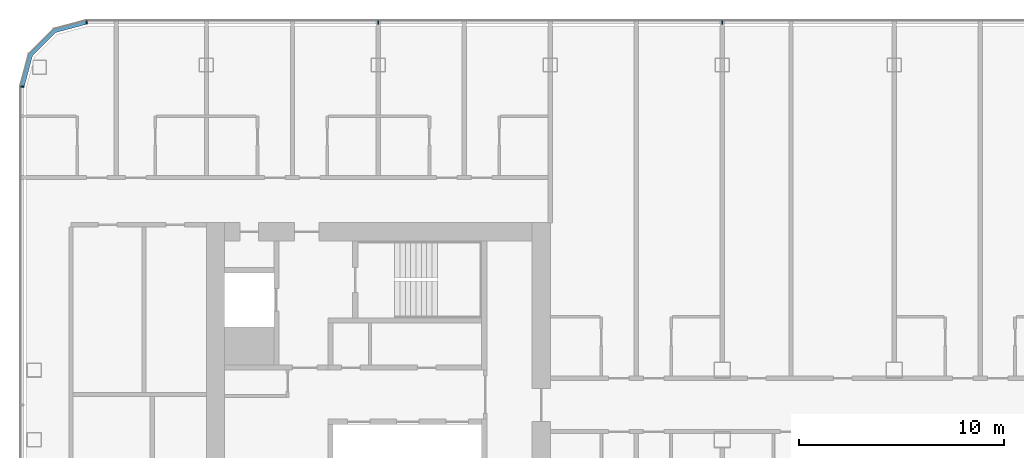
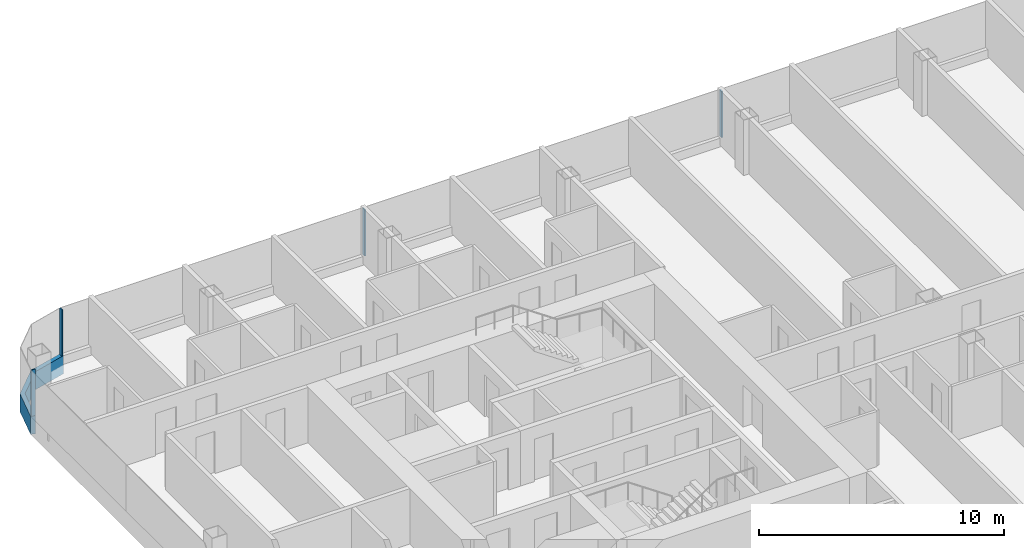
# One storey, part 6 of 27: 5 members, 3 elements without a shape of their own.
"""IFC4 building model written with IfcOpenShell, lengths in metres."""

from ifc_helpers import new_model, si_unit, direction, frame, origin, origin_2d, place, context, subcontext, project, spatial, polyline, rectangle, outline, extrude, material, layer, layer_set, material_profile, profile_set, type_object, element, aggregate, save


model = new_model("IFC4")

# Units and contexts
model_context = context("Model", 3, precision=1e-05, world=origin(), true_north=direction((0.0, 1.0)))
body_context = subcontext(model_context, "Body", "Model", "MODEL_VIEW")
ifc_project = project(units=[si_unit("LENGTHUNIT", "METRE"), si_unit("AREAUNIT", "SQUARE_METRE"), si_unit("VOLUMEUNIT", "CUBIC_METRE"), si_unit("PLANEANGLEUNIT", "RADIAN"), si_unit("MASSUNIT", "GRAM", prefix="KILO")], contexts=[model_context])

# Site, building, storey
site_placement = place(None, origin())
site = spatial("IfcSite", under=ifc_project, at=site_placement, CompositionType="ELEMENT")
building_placement = place(site_placement, origin())
building = spatial("IfcBuilding", under=site, at=building_placement, Name="Hakoniwa Tower and Hamabe Station Hall", CompositionType="ELEMENT")
storey_placement = place(building_placement, frame((0.0, 0.0, 166.199951171875)))
storey = spatial("IfcBuildingStorey", under=building, at=storey_placement, Name="L47", CompositionType="ELEMENT", Elevation=166.199951171875)

# Curtain wall, member
ifc_material_1 = material(Name="Dark low-e laminated glass", Category="glass")
ifc_layer = layer(ifc_material_1, 0.199951171875)
ifc_layer_set = layer_set([ifc_layer], Name="CW-1 UNITISED GUEST")
curtain_wall_type = type_object("IfcCurtainWallType", Name="CW-1 UNITISED GUEST", PredefinedType="NOTDEFINED", material=ifc_layer_set)
curtain_wall_1_placement = place(storey_placement, origin())
curtain_wall_1 = element("IfcCurtainWall", 1, at=curtain_wall_1_placement, inside=storey, type_object=curtain_wall_type, Name="CW-1 curtain wall", PredefinedType="NOTDEFINED")
ifc_material_2 = material(Name="Aluminium 6063-T5 black anodised", Category="aluminium")
ifc_material_profile_1 = material_profile(ifc_material_2, rectangle(XDim=0.199951171875, YDim=0.89990234375, at=origin_2d()), Name="CW SLAB-EDGE BAND 900X200")
ifc_profile_set_1 = profile_set([ifc_material_profile_1], Name="Aluminium 6063-T5 black anodised")
member_type_1 = type_object("IfcMemberType", Name="CW SLAB-EDGE BAND 900X200", PredefinedType="USERDEFINED", material=ifc_profile_set_1)
member_1_placement = place(storey_placement, frame((0.0, 0.0, -0.550048828125)))
member_1 = element("IfcMember", 2, at=member_1_placement, type_object=member_type_1, Name="CW-1 transom", ObjectType="TRANSOM", PredefinedType="USERDEFINED", context=body_context, shape_type="SweptSolid", body=[
    extrude(outline(polyline([(-39.439453125, 18.300048828125), (-41.05517578125, 17.866943359375), (-42.26708984375, 16.6552734375), (-42.699951171875, 15.03955078125), (-42.5068359375, 14.98779296875), (-42.087646484375, 16.5517578125), (-40.95166015625, 17.687744140625), (-39.3876953125, 18.10693359375), (-39.439453125, 18.300048828125)])), origin(), (0.0, 0.0, 1.0), 0.900146484375),
])
aggregate(curtain_wall_1, [member_1])

# Curtain wall, members
curtain_wall_2_placement = place(storey_placement, origin())
curtain_wall_2 = element("IfcCurtainWall", 3, at=curtain_wall_2_placement, inside=storey, type_object=curtain_wall_type, Name="CW-1 curtain wall", PredefinedType="NOTDEFINED")
ifc_material_3 = material(Name="Aluminium 6063-T5 black anodised", Category="aluminium")
ifc_material_profile_2 = material_profile(ifc_material_3, rectangle(XDim=0.06005859375, YDim=0.179931640625, at=origin_2d()), Name="CW-1 MULLION 60X180")
ifc_profile_set_2 = profile_set([ifc_material_profile_2], Name="Aluminium 6063-T5 black anodised")
member_type_2 = type_object("IfcMemberType", Name="CW-1 MULLION 60X180", PredefinedType="MULLION", material=ifc_profile_set_2)
member_2_placement = place(storey_placement, frame((-8.39990234375, 18.181884765625, 0.35009765625), z_axis=(0.0, 0.0, 1.0), x_axis=(-1.0, 0.0, 0.0)))
member_2 = element("IfcMember", 4, at=member_2_placement, type_object=member_type_2, Name="CW-1 mullion", PredefinedType="MULLION", context=body_context, shape_type="SweptSolid", body=[
    extrude(rectangle(XDim=0.06005859375, YDim=0.179931640625, at=origin_2d()), origin(), (0.0, 0.0, 1.0), 2.300048828125),
])
member_3_placement = place(storey_placement, frame((-25.199951171875, 18.181884765625, 0.35009765625), z_axis=(0.0, 0.0, 1.0), x_axis=(-1.0, 0.0, 0.0)))
member_3 = element("IfcMember", 5, at=member_3_placement, type_object=member_type_2, Name="CW-1 mullion", PredefinedType="MULLION", context=body_context, shape_type="SweptSolid", body=[
    extrude(rectangle(XDim=0.06005859375, YDim=0.179931640625, at=origin_2d()), origin(), (0.0, 0.0, 1.0), 2.300048828125),
])
member_4_placement = place(storey_placement, frame((-39.439453125, 18.181884765625, 0.35009765625), z_axis=(0.0, 0.0, 1.0), x_axis=(-1.0, 0.0, 0.0)))
member_4 = element("IfcMember", 6, at=member_4_placement, type_object=member_type_2, Name="CW-1 mullion", PredefinedType="MULLION", context=body_context, shape_type="SweptSolid", body=[
    extrude(rectangle(XDim=0.06005859375, YDim=0.179931640625, at=origin_2d()), origin(), (0.0, 0.0, 1.0), 2.300048828125),
])
aggregate(curtain_wall_2, [member_2, member_3, member_4])

# Curtain wall, member
curtain_wall_3_placement = place(storey_placement, origin())
curtain_wall_3 = element("IfcCurtainWall", 7, at=curtain_wall_3_placement, inside=storey, type_object=curtain_wall_type, Name="CW-1 curtain wall", PredefinedType="NOTDEFINED")
member_5_placement = place(storey_placement, frame((-42.58203125, 15.03955078125, 0.35009765625), z_axis=(0.0, 0.0, 1.0), x_axis=(0.0, -1.0, 0.0)))
member_5 = element("IfcMember", 8, at=member_5_placement, type_object=member_type_2, Name="CW-1 mullion", PredefinedType="MULLION", context=body_context, shape_type="SweptSolid", body=[
    extrude(rectangle(XDim=0.06005859375, YDim=0.179931640625, at=origin_2d()), origin(), (0.0, 0.0, 1.0), 2.300048828125),
])
aggregate(curtain_wall_3, [member_5])

save(model, "model.ifc")
